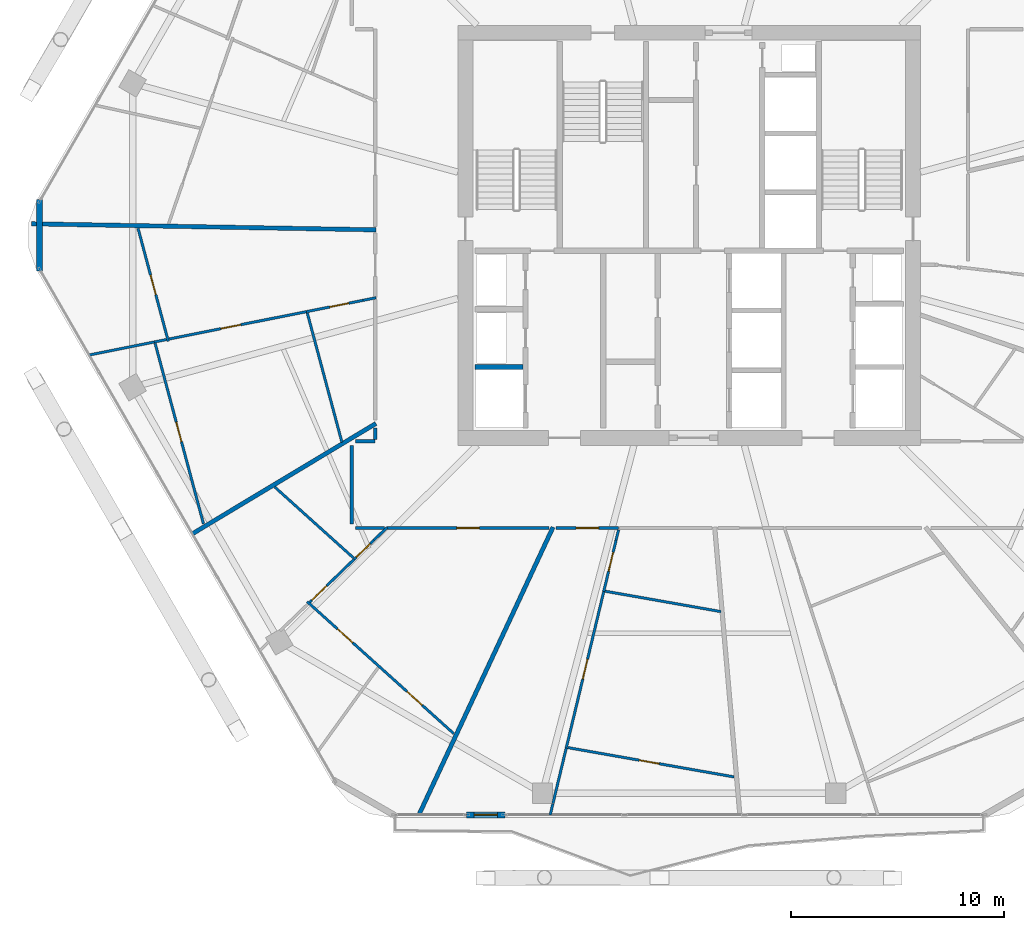
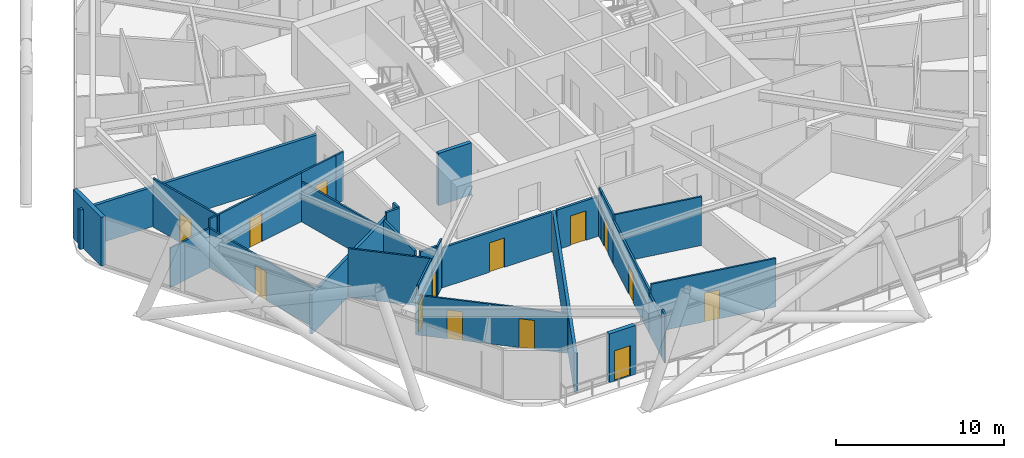
# One storey, part 21 of 28: 32 walls, 14 doors, 14 openings.
"""IFC4 building model written with IfcOpenShell, lengths in metres."""

from ifc_helpers import new_model, si_unit, direction, frame, frame_2d, origin, place, context, subcontext, project, spatial, rectangle, extrude, material, layer, layer_set, type_object, element, fill, save


model = new_model("IFC4")

# Units and contexts
model_context = context("Model", 3, precision=1e-05, world=origin(), true_north=direction((0.0, 1.0)))
body_context = subcontext(model_context, "Body", "Model", "MODEL_VIEW")
ifc_project = project(units=[si_unit("LENGTHUNIT", "METRE"), si_unit("AREAUNIT", "SQUARE_METRE"), si_unit("VOLUMEUNIT", "CUBIC_METRE"), si_unit("PLANEANGLEUNIT", "RADIAN"), si_unit("MASSUNIT", "GRAM", prefix="KILO")], contexts=[model_context])

# Site, building, storey
site_placement = place(None, origin())
site = spatial("IfcSite", under=ifc_project, at=site_placement, CompositionType="ELEMENT")
building_placement = place(site_placement, origin())
building = spatial("IfcBuilding", under=site, at=building_placement, Name="Zuhravey Tower", CompositionType="ELEMENT")
storey_placement = place(building_placement, frame((0.0, 0.0, 207.39990234375)))
storey = spatial("IfcBuildingStorey", under=building, at=storey_placement, Name="L52", CompositionType="ELEMENT", Elevation=207.39990234375)

# Wall, opening, door
ifc_material_1 = material(Name="Gypsum fire-rated stud partition")
ifc_layer_1 = layer(ifc_material_1, 0.159912109375)
ifc_layer_set_1 = layer_set([ifc_layer_1], Name="Gypsum fire-rated stud partition")
wall_type_1 = type_object("IfcWallType", Name="Corridor Fire Partition 160", PredefinedType="PARTITIONING", material=ifc_layer_set_1)
wall_1_placement = place(storey_placement, frame((21.830810546875, 18.27001953125, 0.0), z_axis=(0.0, 0.0, 1.0), x_axis=(1.0, 0.0, 0.0)))
wall_1 = element("IfcWall", 1, at=wall_1_placement, inside=storey, type_object=wall_type_1, Name="L52 IW16 Partition 051", PredefinedType="PARTITIONING", context=body_context, shape_type="SweptSolid", body=[
    extrude(rectangle(XDim=7.59814453125, YDim=0.159912109375, at=frame_2d((3.799072265625, 0.0))), origin(), (0.0, 0.0, 1.0), 2.900146484375),
])
opening_1_placement = place(wall_1_placement, frame((3.274169921875, 0.0, 0.0)))
opening_1 = element("IfcOpeningElement", 2, at=opening_1_placement, cuts=wall_1, Name="Opening APD1", PredefinedType="OPENING", context=body_context, shape_type="SweptSolid", body=[
    extrude(rectangle(XDim=1.050048828125, YDim=2.14990234375, at=frame_2d((0.52490234375, 1.074951171875))), frame((0.0, 0.092041015625, 0.0), z_axis=(0.0, -1.0, 0.0), x_axis=(1.0, 0.0, 0.0)), (0.0, 0.0, 1.0), 0.183837890625),
])
ifc_material_2 = material(Name="Solid-core oak fire-rated leaf")
door_type_1 = type_object("IfcDoorType", Name="Apartment Entrance Fire Door 1050x2150", OperationType="NOTDEFINED", PredefinedType="DOOR", material=ifc_material_2)
door_1_placement = place(opening_1_placement, frame((1.050048828125, 0.0, 0.0), z_axis=(0.0, 0.0, 1.0), x_axis=(-1.0, 0.0, 0.0)))
door_1 = element("IfcDoor", 3, at=door_1_placement, inside=storey, type_object=door_type_1, Name="L52 Door 051.1", OperationType="SINGLE_SWING_LEFT", OverallHeight=2.14990234375, OverallWidth=1.050048828125, PredefinedType="DOOR", context=body_context, shape_type="SweptSolid", body=[
    extrude(rectangle(XDim=1.050048828125, YDim=2.14990234375, at=frame_2d((0.52490234375, 1.074951171875))), frame((0.0, 0.02490234375, 0.0), z_axis=(0.0, -1.0, 0.0), x_axis=(1.0, 0.0, 0.0)), (0.0, 0.0, 1.0), 0.050048828125),
])
fill(opening_1, door_1)

wall_2_placement = place(storey_placement, frame((29.764892578125, 18.27001953125, 0.0), z_axis=(0.0, 0.0, 1.0), x_axis=(1.0, 0.0, 0.0)))
wall_2 = element("IfcWall", 4, at=wall_2_placement, inside=storey, type_object=wall_type_1, Name="L52 IW16 Partition 055", PredefinedType="PARTITIONING", context=body_context, shape_type="SweptSolid", body=[
    extrude(rectangle(XDim=2.92333984375, YDim=0.159912109375, at=frame_2d((1.461669921875, 0.0))), origin(), (0.0, 0.0, 1.0), 2.900146484375),
])
opening_2_placement = place(wall_2_placement, frame((0.936767578125, 0.0, 0.0)))
opening_2 = element("IfcOpeningElement", 5, at=opening_2_placement, cuts=wall_2, Name="Opening APD1", PredefinedType="OPENING", context=body_context, shape_type="SweptSolid", body=[
    extrude(rectangle(XDim=1.050048828125, YDim=2.14990234375, at=frame_2d((0.52490234375, 1.074951171875))), frame((0.0, 0.092041015625, 0.0), z_axis=(0.0, -1.0, 0.0), x_axis=(1.0, 0.0, 0.0)), (0.0, 0.0, 1.0), 0.183837890625),
])
door_2_placement = place(opening_2_placement, frame((1.050048828125, 0.0, 0.0), z_axis=(0.0, 0.0, 1.0), x_axis=(-1.0, 0.0, 0.0)))
door_2 = element("IfcDoor", 6, at=door_2_placement, inside=storey, type_object=door_type_1, Name="L52 Door 055.1", OperationType="SINGLE_SWING_LEFT", OverallHeight=2.14990234375, OverallWidth=1.050048828125, PredefinedType="DOOR", context=body_context, shape_type="SweptSolid", body=[
    extrude(rectangle(XDim=1.050048828125, YDim=2.14990234375, at=frame_2d((0.52490234375, 1.074951171875))), frame((0.0, 0.02490234375, 0.0), z_axis=(0.0, -1.0, 0.0), x_axis=(1.0, 0.0, 0.0)), (0.0, 0.0, 1.0), 0.050048828125),
])
fill(opening_2, door_2)

# Walls
wall_3_placement = place(storey_placement, frame((20.169921875, 22.14990234375, 0.0), z_axis=(0.0, 0.0, 1.0), x_axis=(0.0, -1.0, 0.0)))
element("IfcWall", 7, at=wall_3_placement, inside=storey, type_object=wall_type_1, Name="L52 IW16 Partition 130", PredefinedType="PARTITIONING", context=body_context, shape_type="SweptSolid", body=[
    extrude(rectangle(XDim=3.699951171875, YDim=0.159912109375, at=frame_2d((1.85009765625, 0.0))), origin(), (0.0, 0.0, 1.0), 3.150146484375),
])
wall_4_placement = place(storey_placement, frame((20.35009765625, 18.27001953125, 0.0), z_axis=(0.0, 0.0, 1.0), x_axis=(1.0, 0.0, 0.0)))
element("IfcWall", 8, at=wall_4_placement, inside=storey, type_object=wall_type_1, Name="L52 IW16 Partition 131", PredefinedType="PARTITIONING", context=body_context, shape_type="SweptSolid", body=[
    extrude(rectangle(XDim=1.35400390625, YDim=0.159912109375, at=frame_2d((0.677001953125, 0.0))), origin(), (0.0, 0.0, 1.0), 3.150146484375),
])
wall_5_placement = place(storey_placement, frame((21.27001953125, 22.330078125, 0.0), z_axis=(0.0, 0.0, 1.0), x_axis=(-1.0, 0.0, 0.0)))
element("IfcWall", 9, at=wall_5_placement, inside=storey, type_object=wall_type_1, Name="L52 IW16 Partition 132", PredefinedType="PARTITIONING", context=body_context, shape_type="SweptSolid", body=[
    extrude(rectangle(XDim=0.919921875, YDim=0.159912109375, at=frame_2d((0.4599609375, 0.0))), origin(), (0.0, 0.0, 1.0), 3.550048828125),
])
wall_6_placement = place(storey_placement, frame((21.27001953125, 22.949951171875, 0.0), z_axis=(0.0, 0.0, 1.0), x_axis=(0.0, -1.0, 0.0)))
element("IfcWall", 10, at=wall_6_placement, inside=storey, type_object=wall_type_1, Name="L52 IW16 Partition 133", PredefinedType="PARTITIONING", context=body_context, shape_type="SweptSolid", body=[
    extrude(rectangle(XDim=0.531982421875, YDim=0.159912109375, at=frame_2d((0.26611328125, 0.0))), origin(), (0.0, 0.0, 1.0), 3.550048828125),
])

# Wall, opening, door
ifc_material_3 = material(Name="Precast concrete C40/50", Category="concrete")
ifc_layer_2 = layer(ifc_material_3, 0.280029296875)
ifc_layer_set_2 = layer_set([ifc_layer_2], Name="Precast concrete C40/50")
wall_type_2 = type_object("IfcWallType", Name="Crown Architectural Wall 280", PredefinedType="SOLIDWALL", material=ifc_layer_set_2)
wall_7_placement = place(storey_placement, frame((27.354248046875, 4.81689453125, 0.0), z_axis=(0.0, 0.0, 1.0), x_axis=(-1.0, 0.0, 0.0)))
wall_7 = element("IfcWall", 11, at=wall_7_placement, inside=storey, type_object=wall_type_2, Name="L52 Face 5 Facade Pier EW28-1", PredefinedType="SOLIDWALL", context=body_context, shape_type="SweptSolid", body=[
    extrude(rectangle(XDim=1.7900390625, YDim=0.280029296875, at=frame_2d((0.89501953125, 0.0))), origin(), (0.0, 0.0, 1.0), 3.550048828125),
])
opening_3_placement = place(wall_7_placement, frame((0.344970703125, 0.0, 0.0)))
opening_3 = element("IfcOpeningElement", 12, at=opening_3_placement, cuts=wall_7, Name="Opening BLD1", PredefinedType="OPENING", context=body_context, shape_type="SweptSolid", body=[
    extrude(rectangle(XDim=1.10009765625, YDim=2.199951171875, at=frame_2d((0.550048828125, 1.10009765625))), frame((0.0, 0.152099609375, 0.0), z_axis=(0.0, -1.0, 0.0), x_axis=(1.0, 0.0, 0.0)), (0.0, 0.0, 1.0), 0.303955078125),
])
ifc_material_4 = material(Name="Thermally broken aluminium and low-E glass", Category="aluminium")
door_type_2 = type_object("IfcDoorType", Name="Balcony & Sky-Tray Glazed Door 1100x2200", OperationType="NOTDEFINED", PredefinedType="DOOR", material=ifc_material_4)
door_3_placement = place(opening_3_placement, frame((1.10009765625, 0.0, 0.0), z_axis=(0.0, 0.0, 1.0), x_axis=(-1.0, 0.0, 0.0)))
door_3 = element("IfcDoor", 13, at=door_3_placement, inside=storey, type_object=door_type_2, Name="L52 Face 5 Wave Balcony Door", OperationType="SINGLE_SWING_LEFT", OverallHeight=2.199951171875, OverallWidth=1.10009765625, PredefinedType="DOOR", context=body_context, shape_type="SweptSolid", body=[
    extrude(rectangle(XDim=1.10009765625, YDim=2.199951171875, at=frame_2d((0.550048828125, 1.10009765625))), frame((0.0, 0.02490234375, 0.0), z_axis=(0.0, -1.0, 0.0), x_axis=(1.0, 0.0, 0.0)), (0.0, 0.0, 1.0), 0.050048828125),
])
fill(opening_3, door_3)

# Walls
wall_8_placement = place(storey_placement, frame((5.5283203125, 30.3173828125, 0.0), z_axis=(0.0, 0.0, 1.0), x_axis=(0.0, 1.0, 0.0)))
element("IfcWall", 14, at=wall_8_placement, inside=storey, type_object=wall_type_2, Name="L52 Rounded Corner Closure Wall EW28-06", PredefinedType="SOLIDWALL", context=body_context, shape_type="SweptSolid", body=[
    extrude(rectangle(XDim=3.365234375, YDim=0.280029296875, at=frame_2d((1.6826171875, 0.0))), origin(), (0.0, 0.0, 1.0), 3.550048828125),
])
ifc_material_5 = material(Name="Concrete C50/60", Category="concrete")
ifc_layer_3 = layer(ifc_material_5, 0.25)
ifc_layer_set_3 = layer_set([ifc_layer_3], Name="Concrete C50/60")
wall_type_3 = type_object("IfcWallType", Name="Firefighting Shaft & Stair Wall 250", PredefinedType="SOLIDWALL", material=ifc_layer_set_3)
wall_9_placement = place(storey_placement, frame((25.949951171875, 25.824951171875, 0.0), z_axis=(0.0, 0.0, 1.0), x_axis=(1.0, 0.0, 0.0)))
element("IfcWall", 15, at=wall_9_placement, inside=storey, type_object=wall_type_3, Name="L52 FW25 Shaft Wall 009", PredefinedType="SOLIDWALL", context=body_context, shape_type="SweptSolid", body=[
    extrude(rectangle(XDim=2.25, YDim=0.25, at=frame_2d((1.125, 0.0))), origin(), (0.0, 0.0, 1.0), 3.800048828125),
])
ifc_material_6 = material(Name="Gypsum double-stud party assembly")
ifc_layer_4 = layer(ifc_material_6, 0.199951171875)
ifc_layer_set_4 = layer_set([ifc_layer_4], Name="Gypsum double-stud party assembly")
wall_type_4 = type_object("IfcWallType", Name="Inter-Tenancy Party Wall 200", PredefinedType="PARTITIONING", material=ifc_layer_set_4)
wall_10_placement = place(storey_placement, frame((21.31005859375, 32.25634765625, 0.0), z_axis=(0.0, 0.0, 1.0), x_axis=(-0.999847675861, 0.017453511821, 0.0)))
element("IfcWall", 16, at=wall_10_placement, inside=storey, type_object=wall_type_4, Name="L52 IW20 Partition 095", PredefinedType="PARTITIONING", context=body_context, shape_type="SweptSolid", body=[
    extrude(rectangle(XDim=16.170166015625, YDim=0.199951171875, at=frame_2d((8.0849609375, 0.0))), origin(), (0.0, 0.0, 1.0), 2.8701171875),
])
wall_11_placement = place(storey_placement, frame((21.31005859375, 23.17333984375, 0.0), z_axis=(0.0, 0.0, 1.0), x_axis=(-0.857169072729, -0.515035125751, 0.0)))
element("IfcWall", 17, at=wall_11_placement, inside=storey, type_object=wall_type_4, Name="L52 IW20 Partition 099", PredefinedType="PARTITIONING", context=body_context, shape_type="SweptSolid", body=[
    extrude(rectangle(XDim=10.04931640625, YDim=0.199951171875, at=frame_2d((5.024658203125, 0.0))), origin(), (0.0, 0.0, 1.0), 2.8701171875),
])
wall_12_placement = place(storey_placement, frame((29.6162109375, 18.31005859375, 0.0), z_axis=(0.0, 0.0, 1.0), x_axis=(-0.422619721154, -0.9063071065, 0.0)))
element("IfcWall", 18, at=wall_12_placement, inside=storey, type_object=wall_type_4, Name="L52 IW20 Partition 104", PredefinedType="PARTITIONING", context=body_context, shape_type="SweptSolid", body=[
    extrude(rectangle(XDim=14.88818359375, YDim=0.199951171875, at=frame_2d((7.444091796875, 0.0))), origin(), (0.0, 0.0, 1.0), 2.8701171875),
])

# Wall, opening, door
ifc_material_7 = material(Name="Gypsum metal-stud partition")
ifc_layer_5 = layer(ifc_material_7, 0.1201171875)
ifc_layer_set_5 = layer_set([ifc_layer_5], Name="Gypsum metal-stud partition")
wall_type_5 = type_object("IfcWallType", Name="Unit Internal Partition 120", PredefinedType="PARTITIONING", material=ifc_layer_set_5)
wall_13_placement = place(storey_placement, frame((10.149169921875, 32.32568359375, 0.0), z_axis=(0.0, 0.0, 1.0), x_axis=(0.258800576513, -0.965930774743, 0.0)))
wall_13 = element("IfcWall", 19, at=wall_13_placement, inside=storey, type_object=wall_type_5, Name="L52 IW12 Partition 041", PredefinedType="PARTITIONING", context=body_context, shape_type="SweptSolid", body=[
    extrude(rectangle(XDim=5.487548828125, YDim=0.1201171875, at=frame_2d((2.74365234375, 0.0))), origin(), (0.0, 0.0, 1.0), 3.550048828125),
])
opening_4_placement = place(wall_13_placement, frame((2.268798828125, 0.0, 0.0)))
opening_4 = element("IfcOpeningElement", 20, at=opening_4_placement, cuts=wall_13, Name="Opening IND1", PredefinedType="OPENING", context=body_context, shape_type="SweptSolid", body=[
    extrude(rectangle(XDim=0.949951171875, YDim=2.10009765625, at=frame_2d((0.47509765625, 1.050048828125))), frame((0.0, 0.072021484375, 0.0), z_axis=(0.0, -1.0, 0.0), x_axis=(1.0, 0.0, 0.0)), (0.0, 0.0, 1.0), 0.14404296875),
])
ifc_material_8 = material(Name="Painted engineered timber leaf", Category="wood")
door_type_3 = type_object("IfcDoorType", Name="Internal Room & Bedroom Door 950x2100", OperationType="NOTDEFINED", PredefinedType="DOOR", material=ifc_material_8)
door_4_placement = place(opening_4_placement, frame((0.949951171875, 0.0, 0.0), z_axis=(0.0, 0.0, 1.0), x_axis=(-1.0, 0.0, 0.0)))
door_4 = element("IfcDoor", 21, at=door_4_placement, inside=storey, type_object=door_type_3, Name="Apartment L52-05 Family Study Door", OperationType="SINGLE_SWING_RIGHT", OverallHeight=2.10009765625, OverallWidth=0.949951171875, PredefinedType="DOOR", context=body_context, shape_type="SweptSolid", body=[
    extrude(rectangle(XDim=0.949951171875, YDim=2.10009765625, at=frame_2d((0.47509765625, 1.050048828125))), frame((0.0, 0.02490234375, 0.0), z_axis=(0.0, -1.0, 0.0), x_axis=(1.0, 0.0, 0.0)), (0.0, 0.0, 1.0), 0.050048828125),
])
fill(opening_4, door_4)

wall_14_placement = place(storey_placement, frame((20.699951171875, 28.9482421875, 0.0), z_axis=(0.0, 0.0, 1.0), x_axis=(-0.980691538162, -0.19556100577, 0.0)))
wall_14 = element("IfcWall", 22, at=wall_14_placement, inside=storey, type_object=wall_type_5, Name="L52 IW12 Partition 042", PredefinedType="PARTITIONING", context=body_context, shape_type="SweptSolid", body=[
    extrude(rectangle(XDim=2.70654296875, YDim=0.1201171875, at=frame_2d((1.353271484375, 0.0))), origin(), (0.0, 0.0, 1.0), 3.550048828125),
])
opening_5_placement = place(wall_14_placement, frame((0.686767578125, 0.0, 0.0)))
opening_5 = element("IfcOpeningElement", 23, at=opening_5_placement, cuts=wall_14, Name="Opening WCD1", PredefinedType="OPENING", context=body_context, shape_type="SweptSolid", body=[
    extrude(rectangle(XDim=0.89990234375, YDim=2.10009765625, at=frame_2d((0.449951171875, 1.050048828125))), frame((0.0, 0.072021484375, 0.0), z_axis=(0.0, -1.0, 0.0), x_axis=(1.0, 0.0, 0.0)), (0.0, 0.0, 1.0), 0.14404296875),
])
ifc_material_9 = material(Name="Moisture-resistant timber leaf", Category="wood")
door_type_4 = type_object("IfcDoorType", Name="Bathroom & WC Internal Door 900x2100", OperationType="NOTDEFINED", PredefinedType="DOOR", material=ifc_material_9)
door_5_placement = place(opening_5_placement, origin())
door_5 = element("IfcDoor", 24, at=door_5_placement, inside=storey, type_object=door_type_4, Name="Apartment L52-05 Bathroom Door", OperationType="SINGLE_SWING_LEFT", OverallHeight=2.10009765625, OverallWidth=0.89990234375, PredefinedType="DOOR", context=body_context, shape_type="SweptSolid", body=[
    extrude(rectangle(XDim=0.89990234375, YDim=2.10009765625, at=frame_2d((0.449951171875, 1.050048828125))), frame((0.0, 0.02490234375, 0.0), z_axis=(0.0, -1.0, 0.0), x_axis=(1.0, 0.0, 0.0)), (0.0, 0.0, 1.0), 0.050048828125),
])
fill(opening_5, door_5)

wall_15_placement = place(storey_placement, frame((18.045654296875, 28.4189453125, 0.0), z_axis=(0.0, 0.0, 1.0), x_axis=(-0.980686423889, -0.195586650874, 0.0)))
wall_15 = element("IfcWall", 25, at=wall_15_placement, inside=storey, type_object=wall_type_5, Name="L52 IW12 Partition 043", PredefinedType="PARTITIONING", context=body_context, shape_type="SweptSolid", body=[
    extrude(rectangle(XDim=6.56201171875, YDim=0.1201171875, at=frame_2d((3.281005859375, 0.0))), origin(), (0.0, 0.0, 1.0), 3.550048828125),
])
opening_6_placement = place(wall_15_placement, frame((3.138916015625, 0.0, 0.0)))
opening_6 = element("IfcOpeningElement", 26, at=opening_6_placement, cuts=wall_15, Name="Opening IND1", PredefinedType="OPENING", context=body_context, shape_type="SweptSolid", body=[
    extrude(rectangle(XDim=0.949951171875, YDim=2.10009765625, at=frame_2d((0.47509765625, 1.050048828125))), frame((0.0, 0.072021484375, 0.0), z_axis=(0.0, -1.0, 0.0), x_axis=(1.0, 0.0, 0.0)), (0.0, 0.0, 1.0), 0.14404296875),
])
door_6_placement = place(opening_6_placement, origin())
door_6 = element("IfcDoor", 27, at=door_6_placement, inside=storey, type_object=door_type_3, Name="Apartment L52-05 Home Office Door", OperationType="SINGLE_SWING_RIGHT", OverallHeight=2.10009765625, OverallWidth=0.949951171875, PredefinedType="DOOR", context=body_context, shape_type="SweptSolid", body=[
    extrude(rectangle(XDim=0.949951171875, YDim=2.10009765625, at=frame_2d((0.47509765625, 1.050048828125))), frame((0.0, 0.02490234375, 0.0), z_axis=(0.0, -1.0, 0.0), x_axis=(1.0, 0.0, 0.0)), (0.0, 0.0, 1.0), 0.050048828125),
])
fill(opening_6, door_6)

# Wall
wall_16_placement = place(storey_placement, frame((11.4765625, 27.108642578125, 0.0), z_axis=(0.0, 0.0, 1.0), x_axis=(-0.980710082195, -0.195467988891, 0.0)))
element("IfcWall", 28, at=wall_16_placement, inside=storey, type_object=wall_type_5, Name="L52 IW12 Partition 044", PredefinedType="PARTITIONING", context=body_context, shape_type="SweptSolid", body=[
    extrude(rectangle(XDim=0.57958984375, YDim=0.1201171875, at=frame_2d((0.289794921875, 0.0))), origin(), (0.0, 0.0, 1.0), 3.550048828125),
])

# Wall, opening, door
wall_17_placement = place(storey_placement, frame((10.9501953125, 26.934326171875, 0.0), z_axis=(0.0, 0.0, 1.0), x_axis=(0.258814953738, -0.965926922558, 0.0)))
wall_17 = element("IfcWall", 29, at=wall_17_placement, inside=storey, type_object=wall_type_5, Name="L52 IW12 Partition 045", PredefinedType="PARTITIONING", context=body_context, shape_type="SweptSolid", body=[
    extrude(rectangle(XDim=8.76806640625, YDim=0.1201171875, at=frame_2d((4.384033203125, 0.0))), origin(), (0.0, 0.0, 1.0), 2.8701171875),
])
opening_7_placement = place(wall_17_placement, frame((3.82470703125, 0.0, 0.0)))
opening_7 = element("IfcOpeningElement", 30, at=opening_7_placement, cuts=wall_17, Name="Opening IND1", PredefinedType="OPENING", context=body_context, shape_type="SweptSolid", body=[
    extrude(rectangle(XDim=0.949951171875, YDim=2.10009765625, at=frame_2d((0.47509765625, 1.050048828125))), frame((0.0, 0.072021484375, 0.0), z_axis=(0.0, -1.0, 0.0), x_axis=(1.0, 0.0, 0.0)), (0.0, 0.0, 1.0), 0.14404296875),
])
door_7_placement = place(opening_7_placement, frame((0.949951171875, 0.0, 0.0), z_axis=(0.0, 0.0, 1.0), x_axis=(-1.0, 0.0, 0.0)))
door_7 = element("IfcDoor", 31, at=door_7_placement, inside=storey, type_object=door_type_3, Name="Apartment L52-05 Kitchen Door", OperationType="SINGLE_SWING_LEFT", OverallHeight=2.10009765625, OverallWidth=0.949951171875, PredefinedType="DOOR", context=body_context, shape_type="SweptSolid", body=[
    extrude(rectangle(XDim=0.949951171875, YDim=2.10009765625, at=frame_2d((0.47509765625, 1.050048828125))), frame((0.0, 0.02490234375, 0.0), z_axis=(0.0, -1.0, 0.0), x_axis=(1.0, 0.0, 0.0)), (0.0, 0.0, 1.0), 0.050048828125),
])
fill(opening_7, door_7)

# Wall, openings, doors
wall_18_placement = place(storey_placement, frame((18.08447265625, 14.81396484375, 0.0), z_axis=(0.0, 0.0, 1.0), x_axis=(0.743144556546, -0.669130905037, 0.0)))
wall_18 = element("IfcWall", 32, at=wall_18_placement, inside=storey, type_object=wall_type_5, Name="L52 IW12 Partition 047", PredefinedType="PARTITIONING", context=body_context, shape_type="SweptSolid", body=[
    extrude(rectangle(XDim=9.25244140625, YDim=0.1201171875, at=frame_2d((4.626220703125, 0.0))), origin(), (0.0, 0.0, 1.0), 2.900146484375),
])
opening_8_placement = place(wall_18_placement, frame((1.9130859375, 0.0, 0.0)))
opening_8 = element("IfcOpeningElement", 33, at=opening_8_placement, cuts=wall_18, Name="Opening IND1", PredefinedType="OPENING", context=body_context, shape_type="SweptSolid", body=[
    extrude(rectangle(XDim=0.949951171875, YDim=2.10009765625, at=frame_2d((0.47509765625, 1.050048828125))), frame((0.0, 0.072021484375, 0.0), z_axis=(0.0, -1.0, 0.0), x_axis=(1.0, 0.0, 0.0)), (0.0, 0.0, 1.0), 0.14404296875),
])
opening_9_placement = place(wall_18_placement, frame((6.298583984375, 0.0, 0.0)))
opening_9 = element("IfcOpeningElement", 34, at=opening_9_placement, cuts=wall_18, Name="Opening IND1", PredefinedType="OPENING", context=body_context, shape_type="SweptSolid", body=[
    extrude(rectangle(XDim=0.949951171875, YDim=2.10009765625, at=frame_2d((0.47509765625, 1.050048828125))), frame((0.0, 0.072021484375, 0.0), z_axis=(0.0, -1.0, 0.0), x_axis=(1.0, 0.0, 0.0)), (0.0, 0.0, 1.0), 0.14404296875),
])
door_8_placement = place(opening_8_placement, frame((0.949951171875, 0.0, 0.0), z_axis=(0.0, 0.0, 1.0), x_axis=(-1.0, 0.0, 0.0)))
door_8 = element("IfcDoor", 35, at=door_8_placement, inside=storey, type_object=door_type_3, Name="Apartment L52-06 Family Study Door", OperationType="SINGLE_SWING_LEFT", OverallHeight=2.10009765625, OverallWidth=0.949951171875, PredefinedType="DOOR", context=body_context, shape_type="SweptSolid", body=[
    extrude(rectangle(XDim=0.949951171875, YDim=2.10009765625, at=frame_2d((0.47509765625, 1.050048828125))), frame((0.0, 0.02490234375, 0.0), z_axis=(0.0, -1.0, 0.0), x_axis=(1.0, 0.0, 0.0)), (0.0, 0.0, 1.0), 0.050048828125),
])
fill(opening_8, door_8)
door_9_placement = place(opening_9_placement, frame((0.949951171875, 0.0, 0.0), z_axis=(0.0, 0.0, 1.0), x_axis=(-1.0, 0.0, 0.0)))
door_9 = element("IfcDoor", 36, at=door_9_placement, inside=storey, type_object=door_type_3, Name="Apartment L52-06 Dining Room Door", OperationType="SINGLE_SWING_RIGHT", OverallHeight=2.10009765625, OverallWidth=0.949951171875, PredefinedType="DOOR", context=body_context, shape_type="SweptSolid", body=[
    extrude(rectangle(XDim=0.949951171875, YDim=2.10009765625, at=frame_2d((0.47509765625, 1.050048828125))), frame((0.0, 0.02490234375, 0.0), z_axis=(0.0, -1.0, 0.0), x_axis=(1.0, 0.0, 0.0)), (0.0, 0.0, 1.0), 0.050048828125),
])
fill(opening_9, door_9)

# Wall, opening, door
wall_19_placement = place(storey_placement, frame((21.212646484375, 17.699951171875, 0.0), z_axis=(0.0, 0.0, 1.0), x_axis=(-0.718947330121, -0.695064555643, 0.0)))
wall_19 = element("IfcWall", 37, at=wall_19_placement, inside=storey, type_object=wall_type_5, Name="L52 IW12 Partition 048", PredefinedType="PARTITIONING", context=body_context, shape_type="SweptSolid", body=[
    extrude(rectangle(XDim=1.2880859375, YDim=0.1201171875, at=frame_2d((0.64404296875, 0.0))), origin(), (0.0, 0.0, 1.0), 3.150146484375),
])
opening_10_placement = place(wall_19_placement, frame((0.248046875, 0.0, 0.0)))
opening_10 = element("IfcOpeningElement", 38, at=opening_10_placement, cuts=wall_19, Name="Opening WCD1", PredefinedType="OPENING", context=body_context, shape_type="SweptSolid", body=[
    extrude(rectangle(XDim=0.89990234375, YDim=2.10009765625, at=frame_2d((0.449951171875, 1.050048828125))), frame((0.0, 0.072021484375, 0.0), z_axis=(0.0, -1.0, 0.0), x_axis=(1.0, 0.0, 0.0)), (0.0, 0.0, 1.0), 0.14404296875),
])
door_10_placement = place(opening_10_placement, frame((0.89990234375, 0.0, 0.0), z_axis=(0.0, 0.0, 1.0), x_axis=(-1.0, 0.0, 0.0)))
door_10 = element("IfcDoor", 39, at=door_10_placement, inside=storey, type_object=door_type_4, Name="Apartment L52-06 Bathroom Door", OperationType="SINGLE_SWING_LEFT", OverallHeight=2.10009765625, OverallWidth=0.89990234375, PredefinedType="DOOR", context=body_context, shape_type="SweptSolid", body=[
    extrude(rectangle(XDim=0.89990234375, YDim=2.10009765625, at=frame_2d((0.449951171875, 1.050048828125))), frame((0.0, 0.02490234375, 0.0), z_axis=(0.0, -1.0, 0.0), x_axis=(1.0, 0.0, 0.0)), (0.0, 0.0, 1.0), 0.050048828125),
])
fill(opening_10, door_10)

wall_20_placement = place(storey_placement, frame((20.28662109375, 16.8046875, 0.0), z_axis=(0.0, 0.0, 1.0), x_axis=(-0.718785844337, -0.695231551341, 0.0)))
wall_20 = element("IfcWall", 40, at=wall_20_placement, inside=storey, type_object=wall_type_5, Name="L52 IW12 Partition 049", PredefinedType="PARTITIONING", context=body_context, shape_type="SweptSolid", body=[
    extrude(rectangle(XDim=2.891845703125, YDim=0.1201171875, at=frame_2d((1.44580078125, 0.0))), origin(), (0.0, 0.0, 1.0), 3.550048828125),
])
opening_11_placement = place(wall_20_placement, frame((1.8017578125, 0.0, 0.0)))
opening_11 = element("IfcOpeningElement", 41, at=opening_11_placement, cuts=wall_20, Name="Opening IND1", PredefinedType="OPENING", context=body_context, shape_type="SweptSolid", body=[
    extrude(rectangle(XDim=0.949951171875, YDim=2.10009765625, at=frame_2d((0.47509765625, 1.050048828125))), frame((0.0, 0.072021484375, 0.0), z_axis=(0.0, -1.0, 0.0), x_axis=(1.0, 0.0, 0.0)), (0.0, 0.0, 1.0), 0.14404296875),
])
door_11_placement = place(opening_11_placement, frame((0.949951171875, 0.0, 0.0), z_axis=(0.0, 0.0, 1.0), x_axis=(-1.0, 0.0, 0.0)))
door_11 = element("IfcDoor", 42, at=door_11_placement, inside=storey, type_object=door_type_3, Name="Apartment L52-06 Bedroom 1 Door", OperationType="SINGLE_SWING_RIGHT", OverallHeight=2.10009765625, OverallWidth=0.949951171875, PredefinedType="DOOR", context=body_context, shape_type="SweptSolid", body=[
    extrude(rectangle(XDim=0.949951171875, YDim=2.10009765625, at=frame_2d((0.47509765625, 1.050048828125))), frame((0.0, 0.02490234375, 0.0), z_axis=(0.0, -1.0, 0.0), x_axis=(1.0, 0.0, 0.0)), (0.0, 0.0, 1.0), 0.050048828125),
])
fill(opening_11, door_11)

wall_21_placement = place(storey_placement, frame((32.572265625, 17.699951171875, 0.0), z_axis=(0.0, 0.0, 1.0), x_axis=(-0.233175311753, -0.972434714512, 0.0)))
wall_21 = element("IfcWall", 43, at=wall_21_placement, inside=storey, type_object=wall_type_5, Name="L52 IW12 Partition 052", PredefinedType="PARTITIONING", context=body_context, shape_type="SweptSolid", body=[
    extrude(rectangle(XDim=2.476318359375, YDim=0.1201171875, at=frame_2d((1.23828125, 0.0))), origin(), (0.0, 0.0, 1.0), 3.550048828125),
])
opening_12_placement = place(wall_21_placement, frame((0.590087890625, 0.0, 0.0)))
opening_12 = element("IfcOpeningElement", 44, at=opening_12_placement, cuts=wall_21, Name="Opening WCD1", PredefinedType="OPENING", context=body_context, shape_type="SweptSolid", body=[
    extrude(rectangle(XDim=0.89990234375, YDim=2.10009765625, at=frame_2d((0.449951171875, 1.050048828125))), frame((0.0, 0.072021484375, 0.0), z_axis=(0.0, -1.0, 0.0), x_axis=(1.0, 0.0, 0.0)), (0.0, 0.0, 1.0), 0.14404296875),
])
door_12_placement = place(opening_12_placement, origin())
door_12 = element("IfcDoor", 45, at=door_12_placement, inside=storey, type_object=door_type_4, Name="Apartment L52-07 Bathroom Door", OperationType="SINGLE_SWING_RIGHT", OverallHeight=2.10009765625, OverallWidth=0.89990234375, PredefinedType="DOOR", context=body_context, shape_type="SweptSolid", body=[
    extrude(rectangle(XDim=0.89990234375, YDim=2.10009765625, at=frame_2d((0.449951171875, 1.050048828125))), frame((0.0, 0.02490234375, 0.0), z_axis=(0.0, -1.0, 0.0), x_axis=(1.0, 0.0, 0.0)), (0.0, 0.0, 1.0), 0.050048828125),
])
fill(opening_12, door_12)

wall_22_placement = place(storey_placement, frame((31.994873046875, 15.2919921875, 0.0), z_axis=(0.0, 0.0, 1.0), x_axis=(-0.233088957709, -0.972455416867, 0.0)))
wall_22 = element("IfcWall", 46, at=wall_22_placement, inside=storey, type_object=wall_type_5, Name="L52 IW12 Partition 053", PredefinedType="PARTITIONING", context=body_context, shape_type="SweptSolid", body=[
    extrude(rectangle(XDim=7.54345703125, YDim=0.1201171875, at=frame_2d((3.771728515625, 0.0))), origin(), (0.0, 0.0, 1.0), 3.150146484375),
])
opening_13_placement = place(wall_22_placement, frame((3.271484375, 0.0, 0.0)))
opening_13 = element("IfcOpeningElement", 47, at=opening_13_placement, cuts=wall_22, Name="Opening IND1", PredefinedType="OPENING", context=body_context, shape_type="SweptSolid", body=[
    extrude(rectangle(XDim=0.949951171875, YDim=2.10009765625, at=frame_2d((0.47509765625, 1.050048828125))), frame((0.0, 0.072021484375, 0.0), z_axis=(0.0, -1.0, 0.0), x_axis=(1.0, 0.0, 0.0)), (0.0, 0.0, 1.0), 0.14404296875),
])
door_13_placement = place(opening_13_placement, origin())
door_13 = element("IfcDoor", 48, at=door_13_placement, inside=storey, type_object=door_type_3, Name="Apartment L52-07 Home Office Door", OperationType="SINGLE_SWING_LEFT", OverallHeight=2.10009765625, OverallWidth=0.949951171875, PredefinedType="DOOR", context=body_context, shape_type="SweptSolid", body=[
    extrude(rectangle(XDim=0.949951171875, YDim=2.10009765625, at=frame_2d((0.47509765625, 1.050048828125))), frame((0.0, 0.02490234375, 0.0), z_axis=(0.0, -1.0, 0.0), x_axis=(1.0, 0.0, 0.0)), (0.0, 0.0, 1.0), 0.050048828125),
])
fill(opening_13, door_13)

wall_23_placement = place(storey_placement, frame((30.309326171875, 7.968994140625, 0.0), z_axis=(0.0, 0.0, 1.0), x_axis=(0.984804679172, -0.17366560938, 0.0)))
wall_23 = element("IfcWall", 49, at=wall_23_placement, inside=storey, type_object=wall_type_5, Name="L52 IW12 Partition 054", PredefinedType="PARTITIONING", context=body_context, shape_type="SweptSolid", body=[
    extrude(rectangle(XDim=7.910400390625, YDim=0.1201171875, at=frame_2d((3.955078125, 0.0))), origin(), (0.0, 0.0, 1.0), 3.550048828125),
])
opening_14_placement = place(wall_23_placement, frame((3.39599609375, 0.0, 0.0)))
opening_14 = element("IfcOpeningElement", 50, at=opening_14_placement, cuts=wall_23, Name="Opening IND1", PredefinedType="OPENING", context=body_context, shape_type="SweptSolid", body=[
    extrude(rectangle(XDim=0.949951171875, YDim=2.10009765625, at=frame_2d((0.47509765625, 1.050048828125))), frame((0.0, 0.072021484375, 0.0), z_axis=(0.0, -1.0, 0.0), x_axis=(1.0, 0.0, 0.0)), (0.0, 0.0, 1.0), 0.14404296875),
])
door_14_placement = place(opening_14_placement, frame((0.949951171875, 0.0, 0.0), z_axis=(0.0, 0.0, 1.0), x_axis=(-1.0, 0.0, 0.0)))
door_14 = element("IfcDoor", 51, at=door_14_placement, inside=storey, type_object=door_type_3, Name="Apartment L52-07 Kitchen Door", OperationType="SINGLE_SWING_RIGHT", OverallHeight=2.10009765625, OverallWidth=0.949951171875, PredefinedType="DOOR", context=body_context, shape_type="SweptSolid", body=[
    extrude(rectangle(XDim=0.949951171875, YDim=2.10009765625, at=frame_2d((0.47509765625, 1.050048828125))), frame((0.0, 0.02490234375, 0.0), z_axis=(0.0, -1.0, 0.0), x_axis=(1.0, 0.0, 0.0)), (0.0, 0.0, 1.0), 0.050048828125),
])
fill(opening_14, door_14)

# Walls
wall_24_placement = place(storey_placement, frame((21.314453125, 29.07080078125, 0.0), z_axis=(0.0, 0.0, 1.0), x_axis=(-0.980685434384, -0.195591612261, 0.0)))
element("IfcWall", 52, at=wall_24_placement, inside=storey, type_object=wall_type_5, Name="L52 IW12 Partition 096", PredefinedType="PARTITIONING", context=body_context, shape_type="SweptSolid", body=[
    extrude(rectangle(XDim=0.626708984375, YDim=0.1201171875, at=frame_2d((0.3134765625, 0.0))), origin(), (0.0, 0.0, 1.0), 3.550048828125),
])
wall_25_placement = place(storey_placement, frame((10.908203125, 26.9951171875, 0.0), z_axis=(0.0, 0.0, 1.0), x_axis=(-0.98068589365, -0.195589309516, 0.0)))
element("IfcWall", 53, at=wall_25_placement, inside=storey, type_object=wall_type_5, Name="L52 IW12 Partition 097", PredefinedType="PARTITIONING", context=body_context, shape_type="SweptSolid", body=[
    extrude(rectangle(XDim=3.119384765625, YDim=0.1201171875, at=frame_2d((1.5595703125, 0.0))), origin(), (0.0, 0.0, 1.0), 2.8701171875),
])
wall_26_placement = place(storey_placement, frame((18.087646484375, 28.35791015625, 0.0), z_axis=(0.0, 0.0, 1.0), x_axis=(0.258816385885, -0.96592653882, 0.0)))
element("IfcWall", 54, at=wall_26_placement, inside=storey, type_object=wall_type_5, Name="L52 IW12 Partition 098", PredefinedType="PARTITIONING", context=body_context, shape_type="SweptSolid", body=[
    extrude(rectangle(XDim=6.281494140625, YDim=0.1201171875, at=frame_2d((3.140625, 0.0))), origin(), (0.0, 0.0, 1.0), 2.900146484375),
])
wall_27_placement = place(storey_placement, frame((21.830810546875, 18.2978515625, 0.0), z_axis=(0.0, 0.0, 1.0), x_axis=(-0.718789743291, -0.695227520269, 0.0)))
element("IfcWall", 55, at=wall_27_placement, inside=storey, type_object=wall_type_5, Name="L52 IW12 Partition 101", PredefinedType="PARTITIONING", context=body_context, shape_type="SweptSolid", body=[
    extrude(rectangle(XDim=0.860107421875, YDim=0.1201171875, at=frame_2d((0.43017578125, 0.0))), origin(), (0.0, 0.0, 1.0), 3.550048828125),
])
wall_28_placement = place(storey_placement, frame((16.560302734375, 20.193603515625, 0.0), z_axis=(0.0, 0.0, 1.0), x_axis=(0.743147590053, -0.669127535974, 0.0)))
element("IfcWall", 56, at=wall_28_placement, inside=storey, type_object=wall_type_5, Name="L52 IW12 Partition 103", PredefinedType="PARTITIONING", context=body_context, shape_type="SweptSolid", body=[
    extrude(rectangle(XDim=4.970458984375, YDim=0.1201171875, at=frame_2d((2.4853515625, 0.0))), origin(), (0.0, 0.0, 1.0), 3.550048828125),
])
wall_29_placement = place(storey_placement, frame((32.687744140625, 18.181884765625, 0.0), z_axis=(0.0, 0.0, 1.0), x_axis=(-0.233018921574, -0.972472201242, 0.0)))
element("IfcWall", 57, at=wall_29_placement, inside=storey, type_object=wall_type_5, Name="L52 IW12 Partition 105", PredefinedType="PARTITIONING", context=body_context, shape_type="SweptSolid", body=[
    extrude(rectangle(XDim=0.49560546875, YDim=0.1201171875, at=frame_2d((0.247802734375, 0.0))), origin(), (0.0, 0.0, 1.0), 3.550048828125),
])
wall_30_placement = place(storey_placement, frame((30.236572265625, 7.956298828125, 0.0), z_axis=(0.0, 0.0, 1.0), x_axis=(-0.233117483648, -0.972448579009, 0.0)))
element("IfcWall", 58, at=wall_30_placement, inside=storey, type_object=wall_type_5, Name="L52 IW12 Partition 106", PredefinedType="PARTITIONING", context=body_context, shape_type="SweptSolid", body=[
    extrude(rectangle(XDim=2.6748046875, YDim=0.1201171875, at=frame_2d((1.33740234375, 0.0))), origin(), (0.0, 0.0, 1.0), 2.8701171875),
])
wall_31_placement = place(storey_placement, frame((29.607666015625, 5.3330078125, 0.0), z_axis=(0.0, 0.0, 1.0), x_axis=(-0.233079669616, -0.972457643094, 0.0)))
element("IfcWall", 59, at=wall_31_placement, inside=storey, type_object=wall_type_5, Name="L52 IW12 Partition 107", PredefinedType="PARTITIONING", context=body_context, shape_type="SweptSolid", body=[
    extrude(rectangle(XDim=0.53515625, YDim=0.1201171875, at=frame_2d((0.267578125, 0.0))), origin(), (0.0, 0.0, 1.0), 3.550048828125),
])
wall_32_placement = place(storey_placement, frame((32.06787109375, 15.304443359375, 0.0), z_axis=(0.0, 0.0, 1.0), x_axis=(0.984805426698, -0.173661370331, 0.0)))
element("IfcWall", 60, at=wall_32_placement, inside=storey, type_object=wall_type_5, Name="L52 IW12 Partition 108", PredefinedType="PARTITIONING", context=body_context, shape_type="SweptSolid", body=[
    extrude(rectangle(XDim=5.50537109375, YDim=0.1201171875, at=frame_2d((2.752685546875, 0.0))), origin(), (0.0, 0.0, 1.0), 3.550048828125),
])

save(model, "model.ifc")
